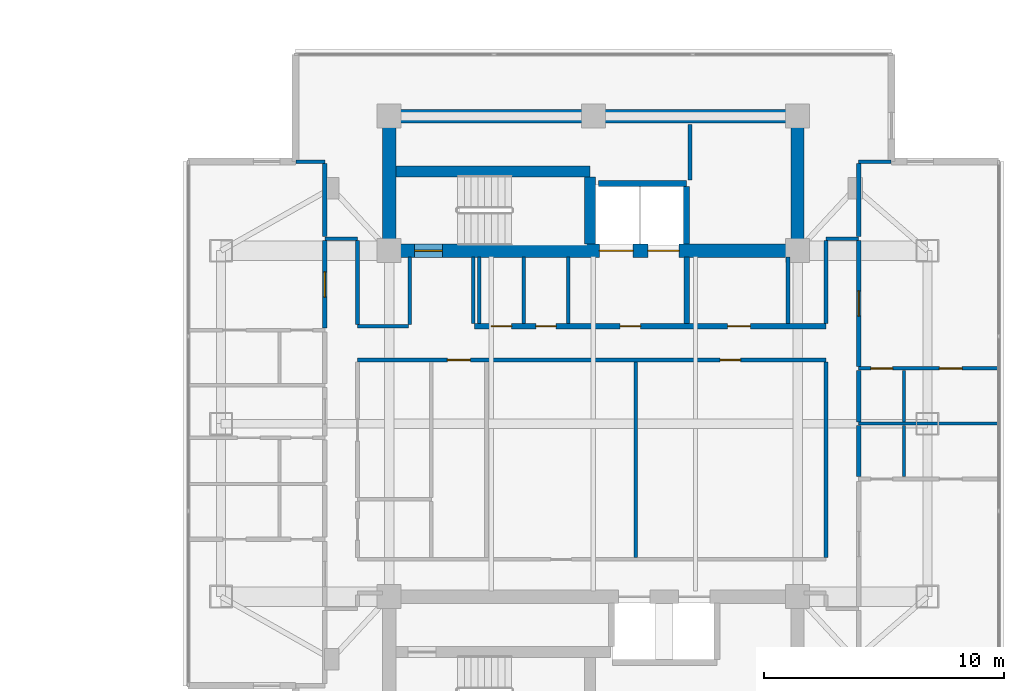
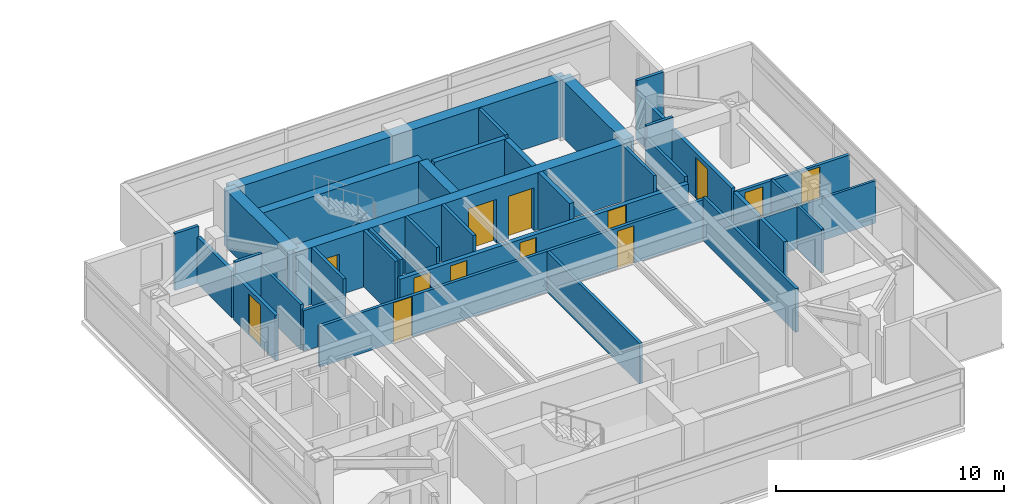
# One storey, part 17 of 24: 37 walls, 13 doors, 13 openings.
"""IFC4 building model written with IfcOpenShell, lengths in metres."""

from ifc_helpers import new_model, si_unit, direction, frame, frame_2d, origin, place, context, subcontext, project, spatial, rectangle, extrude, material, layer, layer_set, type_object, element, fill, save


model = new_model("IFC4")

# Units and contexts
model_context = context("Model", 3, precision=1e-05, world=origin(), true_north=direction((0.0, 1.0)))
body_context = subcontext(model_context, "Body", "Model", "MODEL_VIEW")
ifc_project = project(units=[si_unit("LENGTHUNIT", "METRE"), si_unit("AREAUNIT", "SQUARE_METRE"), si_unit("VOLUMEUNIT", "CUBIC_METRE"), si_unit("PLANEANGLEUNIT", "RADIAN"), si_unit("MASSUNIT", "GRAM", prefix="KILO")], contexts=[model_context])

# Site, building, storey
site_placement = place(None, origin())
site = spatial("IfcSite", under=ifc_project, at=site_placement, CompositionType="ELEMENT")
building_placement = place(site_placement, origin())
building = spatial("IfcBuilding", under=site, at=building_placement, Name="Mirazonda Arch Towers", CompositionType="ELEMENT")
storey_placement = place(building_placement, frame((0.0, 0.0, 157.64990234375)))
storey = spatial("IfcBuildingStorey", under=building, at=storey_placement, Name="L44", CompositionType="ELEMENT", Elevation=157.64990234375)

# Walls
ifc_material_1 = material(Name="Concrete C50/60", Category="concrete")
ifc_layer_1 = layer(ifc_material_1, 0.449951171875, Name="WALL-CORE-450")
ifc_layer_set_1 = layer_set([ifc_layer_1], Name="Concrete C50/60")
wall_type_1 = type_object("IfcWallType", Name="WALL-CORE-450", PredefinedType="SHEAR", material=ifc_layer_set_1)
wall_1_placement = place(storey_placement, frame((68.27001953125, 38.5, 0.0), z_axis=(0.0, 0.0, 1.0), x_axis=(1.0, 0.0, 0.0)))
element("IfcWall", 1, at=wall_1_placement, inside=storey, type_object=wall_type_1, Name="L44 Stair Core Shear Wall 056", PredefinedType="SHEAR", context=body_context, shape_type="SweptSolid", body=[
    extrude(rectangle(XDim=8.090087890625, YDim=0.449951171875, at=frame_2d((4.044921875, 0.0))), origin(), (0.0, 0.0, 1.0), 3.050048828125),
])
wall_2_placement = place(storey_placement, frame((76.360107421875, 35.469970703125, 0.0), z_axis=(0.0, 0.0, 1.0), x_axis=(0.0, 1.0, 0.0)))
element("IfcWall", 2, at=wall_2_placement, inside=storey, type_object=wall_type_1, Name="L44 Stair Core Shear Wall 152", PredefinedType="SHEAR", context=body_context, shape_type="SweptSolid", body=[
    extrude(rectangle(XDim=2.794921875, YDim=0.449951171875, at=frame_2d((1.3974609375, 0.0))), origin(), (0.0, 0.0, 1.0), 3.050048828125),
])
ifc_layer_2 = layer(ifc_material_1, 0.550048828125, Name="WALL-CORE-550")
ifc_layer_set_2 = layer_set([ifc_layer_2], Name="Concrete C50/60")
wall_type_2 = type_object("IfcWallType", Name="WALL-CORE-550", PredefinedType="SHEAR", material=ifc_layer_set_2)
wall_3_placement = place(storey_placement, frame((68.0, 40.800048828125, 0.0), z_axis=(0.0, 0.0, 1.0), x_axis=(1.0, 0.0, 0.0)))
element("IfcWall", 3, at=wall_3_placement, inside=storey, type_object=wall_type_2, Name="L44 T2N-N Core Shear Wall", PredefinedType="SHEAR", context=body_context, shape_type="SweptSolid", body=[
    extrude(rectangle(XDim=17.0, YDim=0.550048828125, at=frame_2d((8.5, 0.0))), origin(), (0.0, 0.0, 1.0), 3.050048828125),
])
for number, where, z_axis, x_axis, name in (
    (4, (68.0, 35.199951171875, 0.0), (0.0, 0.0, 1.0), (0.0, 1.0, 0.0), "L44 T2N-W Core Shear Wall"),
    (5, (85.0, 35.199951171875, 0.0), (0.0, 0.0, 1.0), (0.0, 1.0, 0.0), "L44 T2N-E Core Shear Wall"),
):
    element("IfcWall", number, at=place(storey_placement, frame(where, z_axis=z_axis, x_axis=x_axis)), inside=storey, type_object=wall_type_2, Name=name, PredefinedType="SHEAR", context=body_context, shape_type="SweptSolid", body=[
        extrude(rectangle(XDim=5.60009765625, YDim=0.550048828125, at=frame_2d((2.800048828125, 0.0))), origin(), (0.0, 0.0, 1.0), 3.050048828125),
    ])

# Wall, openings, doors
wall_4_placement = place(storey_placement, frame((68.0, 35.199951171875, 0.0), z_axis=(0.0, 0.0, 1.0), x_axis=(1.0, 0.0, 0.0)))
wall_4 = element("IfcWall", 6, at=wall_4_placement, inside=storey, type_object=wall_type_2, Name="L44 T2N-S Core Shear Wall", PredefinedType="SHEAR", context=body_context, shape_type="SweptSolid", body=[
    extrude(rectangle(XDim=17.0, YDim=0.550048828125, at=frame_2d((8.5, 0.0))), origin(), (0.0, 0.0, 1.0), 3.050048828125),
])
opening_1_placement = place(wall_4_placement, frame((1.06005859375, 0.0, 0.0)))
opening_1 = element("IfcOpeningElement", 7, at=opening_1_placement, cuts=wall_4, Name="Opening DR-135", PredefinedType="OPENING", context=body_context, shape_type="SweptSolid", body=[
    extrude(rectangle(XDim=1.14990234375, YDim=2.199951171875, at=frame_2d((0.574951171875, 1.10009765625))), frame((0.0, 0.284912109375, 0.0), z_axis=(0.0, -1.0, 0.0), x_axis=(1.0, 0.0, 0.0)), (0.0, 0.0, 1.0), 0.570068359375),
])
opening_2_placement = place(wall_4_placement, frame((8.75, 0.0, 0.0)))
opening_2 = element("IfcOpeningElement", 8, at=opening_2_placement, cuts=wall_4, Name="Opening LD-112", PredefinedType="OPENING", context=body_context, shape_type="SweptSolid", body=[
    extrude(rectangle(XDim=1.39990234375, YDim=2.35009765625, at=frame_2d((0.699951171875, 1.175048828125))), frame((0.0, 0.284912109375, 0.0), z_axis=(0.0, -1.0, 0.0), x_axis=(1.0, 0.0, 0.0)), (0.0, 0.0, 1.0), 0.570068359375),
])
opening_3_placement = place(wall_4_placement, frame((10.77001953125, 0.0, 0.0)))
opening_3 = element("IfcOpeningElement", 9, at=opening_3_placement, cuts=wall_4, Name="Opening LD-111", PredefinedType="OPENING", context=body_context, shape_type="SweptSolid", body=[
    extrude(rectangle(XDim=1.300048828125, YDim=2.300048828125, at=frame_2d((0.64990234375, 1.14990234375))), frame((0.0, 0.284912109375, 0.0), z_axis=(0.0, -1.0, 0.0), x_axis=(1.0, 0.0, 0.0)), (0.0, 0.0, 1.0), 0.570068359375),
])
ifc_material_2 = material(Name="Architectural Brushed Steel S355", Category="steel")
door_type_1 = type_object("IfcDoorType", Name="DOOR-LIFT-FFL-1400", OperationType="NOTDEFINED", PredefinedType="DOOR", material=ifc_material_2)
door_1_placement = place(opening_2_placement, origin())
door_1 = element("IfcDoor", 10, at=door_1_placement, inside=storey, type_object=door_type_1, Name="L44 Lift Landing Sliding Door FFL-T2", OperationType="DOUBLE_DOOR_SLIDING", OverallHeight=2.35009765625, OverallWidth=1.39990234375, PredefinedType="DOOR", context=body_context, shape_type="SweptSolid", body=[
    extrude(rectangle(XDim=1.39990234375, YDim=2.35009765625, at=frame_2d((0.699951171875, 1.175048828125))), frame((0.0, 0.02490234375, 0.0), z_axis=(0.0, -1.0, 0.0), x_axis=(1.0, 0.0, 0.0)), (0.0, 0.0, 1.0), 0.050048828125),
])
fill(opening_2, door_1)
door_type_2 = type_object("IfcDoorType", Name="DOOR-LIFT-LAND-1300", OperationType="NOTDEFINED", PredefinedType="DOOR", material=ifc_material_2)
door_2_placement = place(opening_3_placement, origin())
door_2 = element("IfcDoor", 11, at=door_2_placement, inside=storey, type_object=door_type_2, Name="L44 Lift Landing Sliding Door SVL-T2", OperationType="DOUBLE_DOOR_SLIDING", OverallHeight=2.300048828125, OverallWidth=1.300048828125, PredefinedType="DOOR", context=body_context, shape_type="SweptSolid", body=[
    extrude(rectangle(XDim=1.300048828125, YDim=2.300048828125, at=frame_2d((0.64990234375, 1.14990234375))), frame((0.0, 0.02490234375, 0.0), z_axis=(0.0, -1.0, 0.0), x_axis=(1.0, 0.0, 0.0)), (0.0, 0.0, 1.0), 0.050048828125),
])
fill(opening_3, door_2)
door_type_3 = type_object("IfcDoorType", Name="DOOR-STAIR-FD90-1150", OperationType="NOTDEFINED", PredefinedType="DOOR", material=ifc_material_2)
door_3_placement = place(opening_1_placement, origin())
door_3 = element("IfcDoor", 12, at=door_3_placement, inside=storey, type_object=door_type_3, Name="L44 East Protected Stair North Door", OperationType="SINGLE_SWING_LEFT", OverallHeight=2.199951171875, OverallWidth=1.14990234375, PredefinedType="DOOR", context=body_context, shape_type="SweptSolid", body=[
    extrude(rectangle(XDim=1.14990234375, YDim=2.199951171875, at=frame_2d((0.574951171875, 1.10009765625))), frame((0.0, 0.02490234375, 0.0), z_axis=(0.0, -1.0, 0.0), x_axis=(1.0, 0.0, 0.0)), (0.0, 0.0, 1.0), 0.050048828125),
])
fill(opening_1, door_3)

ifc_material_3 = material(Name="Concrete C40/50", Category="concrete")
ifc_layer_3 = layer(ifc_material_3, 0.219970703125, Name="WALL-FFL-220")
ifc_layer_set_3 = layer_set([ifc_layer_3], Name="Concrete C40/50")
wall_type_3 = type_object("IfcWallType", Name="WALL-FFL-220", PredefinedType="SOLIDWALL", material=ifc_layer_set_3)
wall_5_placement = place(storey_placement, frame((71.550048828125, 32.050048828125, 0.0), z_axis=(0.0, 0.0, 1.0), x_axis=(1.0, 0.0, 0.0)))
wall_5 = element("IfcWall", 13, at=wall_5_placement, inside=storey, type_object=wall_type_3, Name="L44 Interior Partition 046", PredefinedType="SOLIDWALL", context=body_context, shape_type="SweptSolid", body=[
    extrude(rectangle(XDim=14.6298828125, YDim=0.219970703125, at=frame_2d((7.31494140625, 0.0))), origin(), (0.0, 0.0, 1.0), 2.18603515625),
])
opening_4_placement = place(wall_5_placement, frame((6.06494140625, 0.0, 0.0)))
opening_4 = element("IfcOpeningElement", 14, at=opening_4_placement, cuts=wall_5, Name="Opening DR-128", PredefinedType="OPENING", context=body_context, shape_type="SweptSolid", body=[
    extrude(rectangle(XDim=0.85009765625, YDim=2.010009765625, at=frame_2d((0.425048828125, 1.0048828125))), frame((0.0, 0.119873046875, 0.0), z_axis=(0.0, -1.0, 0.0), x_axis=(1.0, 0.0, 0.0)), (0.0, 0.0, 1.0), 0.239990234375),
])
opening_5_placement = place(wall_5_placement, frame((10.534912109375, 0.0, 0.0)))
opening_5 = element("IfcOpeningElement", 15, at=opening_5_placement, cuts=wall_5, Name="Opening DR-104", PredefinedType="OPENING", context=body_context, shape_type="SweptSolid", body=[
    extrude(rectangle(XDim=0.949951171875, YDim=2.14990234375, at=frame_2d((0.47509765625, 1.074951171875))), frame((0.0, 0.119873046875, 0.0), z_axis=(0.0, -1.0, 0.0), x_axis=(1.0, 0.0, 0.0)), (0.0, 0.0, 1.0), 0.239990234375),
])
opening_6_placement = place(wall_5_placement, frame((0.699951171875, 0.0, 0.0)))
opening_6 = element("IfcOpeningElement", 16, at=opening_6_placement, cuts=wall_5, Name="Opening DR-128", PredefinedType="OPENING", context=body_context, shape_type="SweptSolid", body=[
    extrude(rectangle(XDim=0.85009765625, YDim=2.010009765625, at=frame_2d((0.425048828125, 1.0048828125))), frame((0.0, 0.119873046875, 0.0), z_axis=(0.0, -1.0, 0.0), x_axis=(1.0, 0.0, 0.0)), (0.0, 0.0, 1.0), 0.239990234375),
])
opening_7_placement = place(wall_5_placement, frame((2.550048828125, 0.0, 0.0)))
opening_7 = element("IfcOpeningElement", 17, at=opening_7_placement, cuts=wall_5, Name="Opening DR-128", PredefinedType="OPENING", context=body_context, shape_type="SweptSolid", body=[
    extrude(rectangle(XDim=0.85009765625, YDim=2.010009765625, at=frame_2d((0.425048828125, 1.0048828125))), frame((0.0, 0.119873046875, 0.0), z_axis=(0.0, -1.0, 0.0), x_axis=(1.0, 0.0, 0.0)), (0.0, 0.0, 1.0), 0.239990234375),
])
door_type_4 = type_object("IfcDoorType", Name="DOOR-RISER-FD60-850", OperationType="NOTDEFINED", PredefinedType="DOOR", material=ifc_material_2)
door_4_placement = place(opening_4_placement, origin())
door_4 = element("IfcDoor", 18, at=door_4_placement, inside=storey, type_object=door_type_4, Name="L44 East Firefighting Lift Lobby Door", OperationType="SINGLE_SWING_RIGHT", OverallHeight=2.010009765625, OverallWidth=0.85009765625, PredefinedType="DOOR", context=body_context, shape_type="SweptSolid", body=[
    extrude(rectangle(XDim=0.85009765625, YDim=2.010009765625, at=frame_2d((0.425048828125, 1.0048828125))), frame((0.0, 0.02490234375, 0.0), z_axis=(0.0, -1.0, 0.0), x_axis=(1.0, 0.0, 0.0)), (0.0, 0.0, 1.0), 0.050048828125),
])
fill(opening_4, door_4)
door_5_placement = place(opening_6_placement, origin())
door_5 = element("IfcDoor", 19, at=door_5_placement, inside=storey, type_object=door_type_4, Name="L44 Tower 2 Electrical Room Door", OperationType="SINGLE_SWING_RIGHT", OverallHeight=2.010009765625, OverallWidth=0.85009765625, PredefinedType="DOOR", context=body_context, shape_type="SweptSolid", body=[
    extrude(rectangle(XDim=0.85009765625, YDim=2.010009765625, at=frame_2d((0.425048828125, 1.0048828125))), frame((0.0, 0.02490234375, 0.0), z_axis=(0.0, -1.0, 0.0), x_axis=(1.0, 0.0, 0.0)), (0.0, 0.0, 1.0), 0.050048828125),
])
fill(opening_6, door_5)
door_6_placement = place(opening_7_placement, origin())
door_6 = element("IfcDoor", 20, at=door_6_placement, inside=storey, type_object=door_type_4, Name="L44 Tower 2 Cleaners Store Door", OperationType="SINGLE_SWING_LEFT", OverallHeight=2.010009765625, OverallWidth=0.85009765625, PredefinedType="DOOR", context=body_context, shape_type="SweptSolid", body=[
    extrude(rectangle(XDim=0.85009765625, YDim=2.010009765625, at=frame_2d((0.425048828125, 1.0048828125))), frame((0.0, 0.02490234375, 0.0), z_axis=(0.0, -1.0, 0.0), x_axis=(1.0, 0.0, 0.0)), (0.0, 0.0, 1.0), 0.050048828125),
])
fill(opening_7, door_6)
door_type_5 = type_object("IfcDoorType", Name="DOOR-ROOM-950", OperationType="NOTDEFINED", PredefinedType="DOOR", material=ifc_material_2)
door_7_placement = place(opening_5_placement, origin())
door_7 = element("IfcDoor", 21, at=door_7_placement, inside=storey, type_object=door_type_5, Name="L44 East Sky Reading Library Door", OperationType="SINGLE_SWING_LEFT", OverallHeight=2.14990234375, OverallWidth=0.949951171875, PredefinedType="DOOR", context=body_context, shape_type="SweptSolid", body=[
    extrude(rectangle(XDim=0.949951171875, YDim=2.14990234375, at=frame_2d((0.47509765625, 1.074951171875))), frame((0.0, 0.02490234375, 0.0), z_axis=(0.0, -1.0, 0.0), x_axis=(1.0, 0.0, 0.0)), (0.0, 0.0, 1.0), 0.050048828125),
])
fill(opening_5, door_7)

# Wall
wall_6_placement = place(storey_placement, frame((80.3798828125, 32.169921875, 0.0), z_axis=(0.0, 0.0, 1.0), x_axis=(0.0, 1.0, 0.0)))
element("IfcWall", 22, at=wall_6_placement, inside=storey, type_object=wall_type_3, Name="L44 Interior Partition 155", PredefinedType="SOLIDWALL", context=body_context, shape_type="SweptSolid", body=[
    extrude(rectangle(XDim=2.760009765625, YDim=0.219970703125, at=frame_2d((1.3798828125, 0.0))), origin(), (0.0, 0.0, 1.0), 3.050048828125),
])

# Wall, openings, doors
ifc_material_4 = material(Name="Fire-Rated Gypsum Stud Partition")
ifc_layer_4 = layer(ifc_material_4, 0.14990234375, Name="WALL-PART-CORR-150")
ifc_layer_set_4 = layer_set([ifc_layer_4], Name="Fire-Rated Gypsum Stud Partition")
wall_type_4 = type_object("IfcWallType", Name="WALL-PART-CORR-150", PredefinedType="PARTITIONING", material=ifc_layer_set_4)
wall_7_placement = place(storey_placement, frame((87.5400390625, 30.300048828125, 0.0), z_axis=(0.0, 0.0, 1.0), x_axis=(1.0, 0.0, 0.0)))
wall_7 = element("IfcWall", 23, at=wall_7_placement, inside=storey, type_object=wall_type_4, Name="L44 Interior Partition 040", PredefinedType="PARTITIONING", context=body_context, shape_type="SweptSolid", body=[
    extrude(rectangle(XDim=5.8310546875, YDim=0.14990234375, at=frame_2d((2.91552734375, 0.0))), origin(), (0.0, 0.0, 1.0), 2.26904296875),
])
opening_8_placement = place(wall_7_placement, frame((3.360595703125, 0.0, 0.0)))
opening_8 = element("IfcOpeningElement", 24, at=opening_8_placement, cuts=wall_7, Name="Opening DR-104", PredefinedType="OPENING", context=body_context, shape_type="SweptSolid", body=[
    extrude(rectangle(XDim=0.949951171875, YDim=2.14990234375, at=frame_2d((0.47509765625, 1.074951171875))), frame((0.0, 0.0849609375, 0.0), z_axis=(0.0, -1.0, 0.0), x_axis=(1.0, 0.0, 0.0)), (0.0, 0.0, 1.0), 0.169921875),
])
opening_9_placement = place(wall_7_placement, frame((0.510009765625, 0.0, 0.0)))
opening_9 = element("IfcOpeningElement", 25, at=opening_9_placement, cuts=wall_7, Name="Opening DR-120", PredefinedType="OPENING", context=body_context, shape_type="SweptSolid", body=[
    extrude(rectangle(XDim=0.89990234375, YDim=2.10009765625, at=frame_2d((0.449951171875, 1.050048828125))), frame((0.0, 0.0849609375, 0.0), z_axis=(0.0, -1.0, 0.0), x_axis=(1.0, 0.0, 0.0)), (0.0, 0.0, 1.0), 0.169921875),
])
door_8_placement = place(opening_8_placement, origin())
door_8 = element("IfcDoor", 26, at=door_8_placement, inside=storey, type_object=door_type_5, Name="L44 Studio 2 Galley Kitchen Door", OperationType="SINGLE_SWING_LEFT", OverallHeight=2.14990234375, OverallWidth=0.949951171875, PredefinedType="DOOR", context=body_context, shape_type="SweptSolid", body=[
    extrude(rectangle(XDim=0.949951171875, YDim=2.14990234375, at=frame_2d((0.47509765625, 1.074951171875))), frame((0.0, 0.02490234375, 0.0), z_axis=(0.0, -1.0, 0.0), x_axis=(1.0, 0.0, 0.0)), (0.0, 0.0, 1.0), 0.050048828125),
])
fill(opening_8, door_8)
door_type_6 = type_object("IfcDoorType", Name="DOOR-WC-900", OperationType="NOTDEFINED", PredefinedType="DOOR", material=ifc_material_2)
door_9_placement = place(opening_9_placement, origin())
door_9 = element("IfcDoor", 27, at=door_9_placement, inside=storey, type_object=door_type_6, Name="L44 Studio 2 Bathroom Door", OperationType="SINGLE_SWING_RIGHT", OverallHeight=2.10009765625, OverallWidth=0.89990234375, PredefinedType="DOOR", context=body_context, shape_type="SweptSolid", body=[
    extrude(rectangle(XDim=0.89990234375, YDim=2.10009765625, at=frame_2d((0.449951171875, 1.050048828125))), frame((0.0, 0.02490234375, 0.0), z_axis=(0.0, -1.0, 0.0), x_axis=(1.0, 0.0, 0.0)), (0.0, 0.0, 1.0), 0.050048828125),
])
fill(opening_9, door_9)

wall_8_placement = place(storey_placement, frame((66.679931640625, 30.64990234375, 0.0), z_axis=(0.0, 0.0, 1.0), x_axis=(1.0, 0.0, 0.0)))
wall_8 = element("IfcWall", 28, at=wall_8_placement, inside=storey, type_object=wall_type_4, Name="L44 Interior Partition 041", PredefinedType="PARTITIONING", context=body_context, shape_type="SweptSolid", body=[
    extrude(rectangle(XDim=19.5, YDim=0.14990234375, at=frame_2d((9.75, 0.0))), origin(), (0.0, 0.0, 1.0), 2.18603515625),
])
opening_10_placement = place(wall_8_placement, frame((3.7451171875, 0.0, 0.0)))
opening_10 = element("IfcOpeningElement", 29, at=opening_10_placement, cuts=wall_8, Name="Opening DR-104", PredefinedType="OPENING", context=body_context, shape_type="SweptSolid", body=[
    extrude(rectangle(XDim=0.949951171875, YDim=2.14990234375, at=frame_2d((0.47509765625, 1.074951171875))), frame((0.0, 0.0849609375, 0.0), z_axis=(0.0, -1.0, 0.0), x_axis=(1.0, 0.0, 0.0)), (0.0, 0.0, 1.0), 0.169921875),
])
opening_11_placement = place(wall_8_placement, frame((15.098388671875, 0.0, 0.0)))
opening_11 = element("IfcOpeningElement", 30, at=opening_11_placement, cuts=wall_8, Name="Opening DR-128", PredefinedType="OPENING", context=body_context, shape_type="SweptSolid", body=[
    extrude(rectangle(XDim=0.85009765625, YDim=2.010009765625, at=frame_2d((0.425048828125, 1.0048828125))), frame((0.0, 0.0849609375, 0.0), z_axis=(0.0, -1.0, 0.0), x_axis=(1.0, 0.0, 0.0)), (0.0, 0.0, 1.0), 0.169921875),
])
door_10_placement = place(opening_11_placement, origin())
door_10 = element("IfcDoor", 31, at=door_10_placement, inside=storey, type_object=door_type_4, Name="L44 Chamber Music & Screening Salon Door", OperationType="SINGLE_SWING_RIGHT", OverallHeight=2.010009765625, OverallWidth=0.85009765625, PredefinedType="DOOR", context=body_context, shape_type="SweptSolid", body=[
    extrude(rectangle(XDim=0.85009765625, YDim=2.010009765625, at=frame_2d((0.425048828125, 1.0048828125))), frame((0.0, 0.02490234375, 0.0), z_axis=(0.0, -1.0, 0.0), x_axis=(1.0, 0.0, 0.0)), (0.0, 0.0, 1.0), 0.050048828125),
])
fill(opening_11, door_10)
door_11_placement = place(opening_10_placement, origin())
door_11 = element("IfcDoor", 32, at=door_11_placement, inside=storey, type_object=door_type_5, Name="L44 L44 East Courtyard Study Door", OperationType="SINGLE_SWING_RIGHT", OverallHeight=2.14990234375, OverallWidth=0.949951171875, PredefinedType="DOOR", context=body_context, shape_type="SweptSolid", body=[
    extrude(rectangle(XDim=0.949951171875, YDim=2.14990234375, at=frame_2d((0.47509765625, 1.074951171875))), frame((0.0, 0.02490234375, 0.0), z_axis=(0.0, -1.0, 0.0), x_axis=(1.0, 0.0, 0.0)), (0.0, 0.0, 1.0), 0.050048828125),
])
fill(opening_10, door_11)

# Walls
wall_9_placement = place(storey_placement, frame((66.679931640625, 32.050048828125, 0.0), z_axis=(0.0, 0.0, 1.0), x_axis=(1.0, 0.0, 0.0)))
element("IfcWall", 33, at=wall_9_placement, inside=storey, type_object=wall_type_4, Name="L44 Interior Partition 045", PredefinedType="PARTITIONING", context=body_context, shape_type="SweptSolid", body=[
    extrude(rectangle(XDim=2.1201171875, YDim=0.14990234375, at=frame_2d((1.06005859375, 0.0))), origin(), (0.0, 0.0, 1.0), 2.18603515625),
])
wall_10_placement = place(storey_placement, frame((65.320068359375, 35.699951171875, 0.0), z_axis=(0.0, 0.0, 1.0), x_axis=(1.0, 0.0, 0.0)))
element("IfcWall", 34, at=wall_10_placement, inside=storey, type_object=wall_type_4, Name="L44 Interior Partition 053", PredefinedType="PARTITIONING", context=body_context, shape_type="SweptSolid", body=[
    extrude(rectangle(XDim=1.35986328125, YDim=0.14990234375, at=frame_2d((0.679931640625, 0.0))), origin(), (0.0, 0.0, 1.0), 3.050048828125),
])
wall_11_placement = place(storey_placement, frame((86.179931640625, 35.699951171875, 0.0), z_axis=(0.0, 0.0, 1.0), x_axis=(1.0, 0.0, 0.0)))
element("IfcWall", 35, at=wall_11_placement, inside=storey, type_object=wall_type_4, Name="L44 Interior Partition 054", PredefinedType="PARTITIONING", context=body_context, shape_type="SweptSolid", body=[
    extrude(rectangle(XDim=1.360107421875, YDim=0.14990234375, at=frame_2d((0.68017578125, 0.0))), origin(), (0.0, 0.0, 1.0), 3.050048828125),
])
wall_12_placement = place(storey_placement, frame((64.11474609375, 38.909912109375, 0.0), z_axis=(0.0, 0.0, 1.0), x_axis=(1.0, 0.0, 0.0)))
element("IfcWall", 36, at=wall_12_placement, inside=storey, type_object=wall_type_4, Name="L44 Interior Partition 057", PredefinedType="PARTITIONING", context=body_context, shape_type="SweptSolid", body=[
    extrude(rectangle(XDim=1.205322265625, YDim=0.14990234375, at=frame_2d((0.6025390625, 0.0))), origin(), (0.0, 0.0, 1.0), 3.050048828125),
])
wall_13_placement = place(storey_placement, frame((87.5400390625, 38.909912109375, 0.0), z_axis=(0.0, 0.0, 1.0), x_axis=(1.0, 0.0, 0.0)))
element("IfcWall", 37, at=wall_13_placement, inside=storey, type_object=wall_type_4, Name="L44 Interior Partition 058", PredefinedType="PARTITIONING", context=body_context, shape_type="SweptSolid", body=[
    extrude(rectangle(XDim=1.34521484375, YDim=0.14990234375, at=frame_2d((0.672607421875, 0.0))), origin(), (0.0, 0.0, 1.0), 3.050048828125),
])
wall_14_placement = place(storey_placement, frame((66.679931640625, 32.135009765625, 0.0), z_axis=(0.0, 0.0, 1.0), x_axis=(0.0, 1.0, 0.0)))
element("IfcWall", 38, at=wall_14_placement, inside=storey, type_object=wall_type_4, Name="L44 Interior Partition 142", PredefinedType="PARTITIONING", context=body_context, shape_type="SweptSolid", body=[
    extrude(rectangle(XDim=3.47998046875, YDim=0.14990234375, at=frame_2d((1.739990234375, 0.0))), origin(), (0.0, 0.0, 1.0), 2.442138671875),
])
wall_15_placement = place(storey_placement, frame((68.85009765625, 32.135009765625, 0.0), z_axis=(0.0, 0.0, 1.0), x_axis=(0.0, 1.0, 0.0)))
element("IfcWall", 39, at=wall_15_placement, inside=storey, type_object=wall_type_4, Name="L44 Interior Partition 143", PredefinedType="PARTITIONING", context=body_context, shape_type="SweptSolid", body=[
    extrude(rectangle(XDim=2.794921875, YDim=0.14990234375, at=frame_2d((1.3974609375, 0.0))), origin(), (0.0, 0.0, 1.0), 3.050048828125),
])
for number, where, z_axis, x_axis, name in (
    (40, (71.5, 32.169921875, 0.0), (0.0, 0.0, 1.0), (0.0, 1.0, 0.0), "L44 Interior Partition 146"),
    (41, (71.75, 32.169921875, 0.0), (0.0, 0.0, 1.0), (0.0, 1.0, 0.0), "L44 Interior Partition 147"),
    (42, (73.60009765625, 32.169921875, 0.0), (0.0, 0.0, 1.0), (0.0, 1.0, 0.0), "L44 Interior Partition 149"),
    (43, (75.449951171875, 32.169921875, 0.0), (0.0, 0.0, 1.0), (0.0, 1.0, 0.0), "L44 Interior Partition 150"),
):
    element("IfcWall", number, at=place(storey_placement, frame(where, z_axis=z_axis, x_axis=x_axis)), inside=storey, type_object=wall_type_4, Name=name, PredefinedType="PARTITIONING", context=body_context, shape_type="SweptSolid", body=[
        extrude(rectangle(XDim=2.760009765625, YDim=0.14990234375, at=frame_2d((1.3798828125, 0.0))), origin(), (0.0, 0.0, 1.0), 3.050048828125),
    ])
wall_16_placement = place(storey_placement, frame((78.26708984375, 22.43505859375, 0.0), z_axis=(0.0, 0.0, 1.0), x_axis=(0.0, 1.0, 0.0)))
element("IfcWall", 44, at=wall_16_placement, inside=storey, type_object=wall_type_4, Name="L44 Interior Partition 154", PredefinedType="PARTITIONING", context=body_context, shape_type="SweptSolid", body=[
    extrude(rectangle(XDim=8.1298828125, YDim=0.14990234375, at=frame_2d((4.06494140625, 0.0))), origin(), (0.0, 0.0, 1.0), 2.18603515625),
])
wall_17_placement = place(storey_placement, frame((80.52001953125, 38.135009765625, 0.0), z_axis=(0.0, 0.0, 1.0), x_axis=(0.0, 1.0, 0.0)))
element("IfcWall", 45, at=wall_17_placement, inside=storey, type_object=wall_type_4, Name="L44 Interior Partition 157", PredefinedType="PARTITIONING", context=body_context, shape_type="SweptSolid", body=[
    extrude(rectangle(XDim=2.31494140625, YDim=0.14990234375, at=frame_2d((1.157470703125, 0.0))), origin(), (0.0, 0.0, 1.0), 3.050048828125),
])
wall_18_placement = place(storey_placement, frame((84.60009765625, 32.169921875, 0.0), z_axis=(0.0, 0.0, 1.0), x_axis=(0.0, 1.0, 0.0)))
element("IfcWall", 46, at=wall_18_placement, inside=storey, type_object=wall_type_4, Name="L44 Interior Partition 159", PredefinedType="PARTITIONING", context=body_context, shape_type="SweptSolid", body=[
    extrude(rectangle(XDim=2.760009765625, YDim=0.14990234375, at=frame_2d((1.3798828125, 0.0))), origin(), (0.0, 0.0, 1.0), 3.050048828125),
])
wall_19_placement = place(storey_placement, frame((86.179931640625, 22.43505859375, 0.0), z_axis=(0.0, 0.0, 1.0), x_axis=(0.0, 1.0, 0.0)))
element("IfcWall", 47, at=wall_19_placement, inside=storey, type_object=wall_type_4, Name="L44 Interior Partition 161", PredefinedType="PARTITIONING", context=body_context, shape_type="SweptSolid", body=[
    extrude(rectangle(XDim=8.1298828125, YDim=0.14990234375, at=frame_2d((4.06494140625, 0.0))), origin(), (0.0, 0.0, 1.0), 2.34619140625),
])
wall_20_placement = place(storey_placement, frame((86.179931640625, 32.169921875, 0.0), z_axis=(0.0, 0.0, 1.0), x_axis=(0.0, 1.0, 0.0)))
element("IfcWall", 48, at=wall_20_placement, inside=storey, type_object=wall_type_4, Name="L44 Interior Partition 162", PredefinedType="PARTITIONING", context=body_context, shape_type="SweptSolid", body=[
    extrude(rectangle(XDim=3.445068359375, YDim=0.14990234375, at=frame_2d((1.72265625, 0.0))), origin(), (0.0, 0.0, 1.0), 2.442138671875),
])

# Wall, opening, door
ifc_material_5 = material(Name="Fire-Rated Gypsum Twin-Stud Assembly")
ifc_layer_5 = layer(ifc_material_5, 0.179931640625, Name="WALL-PART-DEMISE-180")
ifc_layer_set_5 = layer_set([ifc_layer_5], Name="Fire-Rated Gypsum Twin-Stud Assembly")
wall_type_5 = type_object("IfcWallType", Name="WALL-PART-DEMISE-180", PredefinedType="PARTITIONING", material=ifc_layer_set_5)
wall_21_placement = place(storey_placement, frame((65.320068359375, 31.98095703125, 0.0), z_axis=(0.0, 0.0, 1.0), x_axis=(0.0, 1.0, 0.0)))
wall_21 = element("IfcWall", 49, at=wall_21_placement, inside=storey, type_object=wall_type_5, Name="L44 Interior Partition 137", PredefinedType="PARTITIONING", context=body_context, shape_type="SweptSolid", body=[
    extrude(rectangle(XDim=3.634033203125, YDim=0.179931640625, at=frame_2d((1.81689453125, 0.0))), origin(), (0.0, 0.0, 1.0), 2.442138671875),
])
opening_12_placement = place(wall_21_placement, frame((1.2919921875, 0.0, 0.0)))
opening_12 = element("IfcOpeningElement", 50, at=opening_12_placement, cuts=wall_21, Name="Opening DR-121", PredefinedType="OPENING", context=body_context, shape_type="SweptSolid", body=[
    extrude(rectangle(XDim=1.050048828125, YDim=2.199951171875, at=frame_2d((0.52490234375, 1.10009765625))), frame((0.0, 0.099853515625, 0.0), z_axis=(0.0, -1.0, 0.0), x_axis=(1.0, 0.0, 0.0)), (0.0, 0.0, 1.0), 0.199951171875),
])
door_type_7 = type_object("IfcDoorType", Name="DOOR-SUITE-FD60-1050", OperationType="NOTDEFINED", PredefinedType="DOOR", material=ifc_material_2)
door_12_placement = place(opening_12_placement, origin())
door_12 = element("IfcDoor", 51, at=door_12_placement, inside=storey, type_object=door_type_7, Name="L44 Studio Apartment 3 Living Salon Door", OperationType="SINGLE_SWING_RIGHT", OverallHeight=2.199951171875, OverallWidth=1.050048828125, PredefinedType="DOOR", context=body_context, shape_type="SweptSolid", body=[
    extrude(rectangle(XDim=1.050048828125, YDim=2.199951171875, at=frame_2d((0.52490234375, 1.10009765625))), frame((0.0, 0.02490234375, 0.0), z_axis=(0.0, -1.0, 0.0), x_axis=(1.0, 0.0, 0.0)), (0.0, 0.0, 1.0), 0.050048828125),
])
fill(opening_12, door_12)

# Walls
wall_22_placement = place(storey_placement, frame((65.320068359375, 35.784912109375, 0.0), z_axis=(0.0, 0.0, 1.0), x_axis=(0.0, 1.0, 0.0)))
element("IfcWall", 52, at=wall_22_placement, inside=storey, type_object=wall_type_5, Name="L44 Interior Partition 138", PredefinedType="PARTITIONING", context=body_context, shape_type="SweptSolid", body=[
    extrude(rectangle(XDim=3.0400390625, YDim=0.179931640625, at=frame_2d((1.52001953125, 0.0))), origin(), (0.0, 0.0, 1.0), 2.4931640625),
])
wall_23_placement = place(storey_placement, frame((87.5400390625, 25.800048828125, 0.0), z_axis=(0.0, 0.0, 1.0), x_axis=(0.0, 1.0, 0.0)))
element("IfcWall", 53, at=wall_23_placement, inside=storey, type_object=wall_type_5, Name="L44 Interior Partition 165", PredefinedType="PARTITIONING", context=body_context, shape_type="SweptSolid", body=[
    extrude(rectangle(XDim=2.12744140625, YDim=0.179931640625, at=frame_2d((1.063720703125, 0.0))), origin(), (0.0, 0.0, 1.0), 2.34619140625),
])
wall_24_placement = place(storey_placement, frame((87.5400390625, 28.072509765625, 0.0), z_axis=(0.0, 0.0, 1.0), x_axis=(0.0, 1.0, 0.0)))
element("IfcWall", 54, at=wall_24_placement, inside=storey, type_object=wall_type_5, Name="L44 Interior Partition 166", PredefinedType="PARTITIONING", context=body_context, shape_type="SweptSolid", body=[
    extrude(rectangle(XDim=2.142578125, YDim=0.179931640625, at=frame_2d((1.0712890625, 0.0))), origin(), (0.0, 0.0, 1.0), 2.34619140625),
])

# Wall, opening, door
wall_25_placement = place(storey_placement, frame((87.5400390625, 30.385009765625, 0.0), z_axis=(0.0, 0.0, 1.0), x_axis=(0.0, 1.0, 0.0)))
wall_25 = element("IfcWall", 55, at=wall_25_placement, inside=storey, type_object=wall_type_5, Name="L44 Interior Partition 167", PredefinedType="PARTITIONING", context=body_context, shape_type="SweptSolid", body=[
    extrude(rectangle(XDim=5.22998046875, YDim=0.179931640625, at=frame_2d((2.614990234375, 0.0))), origin(), (0.0, 0.0, 1.0), 2.442138671875),
])
opening_13_placement = place(wall_25_placement, frame((2.090087890625, 0.0, 0.0)))
opening_13 = element("IfcOpeningElement", 56, at=opening_13_placement, cuts=wall_25, Name="Opening DR-121", PredefinedType="OPENING", context=body_context, shape_type="SweptSolid", body=[
    extrude(rectangle(XDim=1.050048828125, YDim=2.199951171875, at=frame_2d((0.52490234375, 1.10009765625))), frame((0.0, 0.099853515625, 0.0), z_axis=(0.0, -1.0, 0.0), x_axis=(1.0, 0.0, 0.0)), (0.0, 0.0, 1.0), 0.199951171875),
])
door_13_placement = place(opening_13_placement, origin())
door_13 = element("IfcDoor", 57, at=door_13_placement, inside=storey, type_object=door_type_7, Name="L44 Studio Apartment 2 Living Salon Door", OperationType="SINGLE_SWING_RIGHT", OverallHeight=2.199951171875, OverallWidth=1.050048828125, PredefinedType="DOOR", context=body_context, shape_type="SweptSolid", body=[
    extrude(rectangle(XDim=1.050048828125, YDim=2.199951171875, at=frame_2d((0.52490234375, 1.10009765625))), frame((0.0, 0.02490234375, 0.0), z_axis=(0.0, -1.0, 0.0), x_axis=(1.0, 0.0, 0.0)), (0.0, 0.0, 1.0), 0.050048828125),
])
fill(opening_13, door_13)

# Walls
wall_26_placement = place(storey_placement, frame((87.5400390625, 35.784912109375, 0.0), z_axis=(0.0, 0.0, 1.0), x_axis=(0.0, 1.0, 0.0)))
element("IfcWall", 58, at=wall_26_placement, inside=storey, type_object=wall_type_5, Name="L44 Interior Partition 168", PredefinedType="PARTITIONING", context=body_context, shape_type="SweptSolid", body=[
    extrude(rectangle(XDim=3.0400390625, YDim=0.179931640625, at=frame_2d((1.52001953125, 0.0))), origin(), (0.0, 0.0, 1.0), 2.4931640625),
])
ifc_material_6 = material(Name="Acoustic Fire-Rated Gypsum Partition")
ifc_layer_6 = layer(ifc_material_6, 0.125, Name="WALL-PART-UNIT-125")
ifc_layer_set_6 = layer_set([ifc_layer_6], Name="Acoustic Fire-Rated Gypsum Partition")
wall_type_6 = type_object("IfcWallType", Name="WALL-PART-UNIT-125", PredefinedType="PARTITIONING", material=ifc_layer_set_6)
wall_27_placement = place(storey_placement, frame((87.5400390625, 28.0, 0.0), z_axis=(0.0, 0.0, 1.0), x_axis=(1.0, 0.0, 0.0)))
element("IfcWall", 59, at=wall_27_placement, inside=storey, type_object=wall_type_6, Name="L44 Interior Partition 036", PredefinedType="PARTITIONING", context=body_context, shape_type="SweptSolid", body=[
    extrude(rectangle(XDim=5.8310546875, YDim=0.125, at=frame_2d((2.91552734375, 0.0))), origin(), (0.0, 0.0, 1.0), 2.26904296875),
])
wall_28_placement = place(storey_placement, frame((89.419921875, 25.800048828125, 0.0), z_axis=(0.0, 0.0, 1.0), x_axis=(0.0, 1.0, 0.0)))
element("IfcWall", 60, at=wall_28_placement, inside=storey, type_object=wall_type_6, Name="L44 Interior Partition 169", PredefinedType="PARTITIONING", context=body_context, shape_type="SweptSolid", body=[
    extrude(rectangle(XDim=2.12744140625, YDim=0.125, at=frame_2d((1.063720703125, 0.0))), origin(), (0.0, 0.0, 1.0), 2.34619140625),
])
wall_29_placement = place(storey_placement, frame((89.419921875, 28.072509765625, 0.0), z_axis=(0.0, 0.0, 1.0), x_axis=(0.0, 1.0, 0.0)))
element("IfcWall", 61, at=wall_29_placement, inside=storey, type_object=wall_type_6, Name="L44 Interior Partition 170", PredefinedType="PARTITIONING", context=body_context, shape_type="SweptSolid", body=[
    extrude(rectangle(XDim=2.142578125, YDim=0.125, at=frame_2d((1.0712890625, 0.0))), origin(), (0.0, 0.0, 1.0), 2.34619140625),
])
ifc_layer_7 = layer(ifc_material_3, 0.25, Name="WALL-SHAFT-250")
ifc_layer_set_7 = layer_set([ifc_layer_7], Name="Concrete C40/50")
wall_type_7 = type_object("IfcWallType", Name="WALL-SHAFT-250", PredefinedType="SOLIDWALL", material=ifc_layer_set_7)
wall_30_placement = place(storey_placement, frame((76.719970703125, 38.0, 0.0), z_axis=(0.0, 0.0, 1.0), x_axis=(1.0, 0.0, 0.0)))
element("IfcWall", 62, at=wall_30_placement, inside=storey, type_object=wall_type_7, Name="L44 Interior Partition 055", PredefinedType="SOLIDWALL", context=body_context, shape_type="SweptSolid", body=[
    extrude(rectangle(XDim=3.659912109375, YDim=0.25, at=frame_2d((1.830078125, 0.0))), origin(), (0.0, 0.0, 1.0), 3.050048828125),
])
wall_31_placement = place(storey_placement, frame((80.3798828125, 35.469970703125, 0.0), z_axis=(0.0, 0.0, 1.0), x_axis=(0.0, 1.0, 0.0)))
element("IfcWall", 63, at=wall_31_placement, inside=storey, type_object=wall_type_7, Name="L44 Interior Partition 156", PredefinedType="SOLIDWALL", context=body_context, shape_type="SweptSolid", body=[
    extrude(rectangle(XDim=2.39501953125, YDim=0.25, at=frame_2d((1.197509765625, 0.0))), origin(), (0.0, 0.0, 1.0), 3.050048828125),
])

save(model, "model.ifc")
